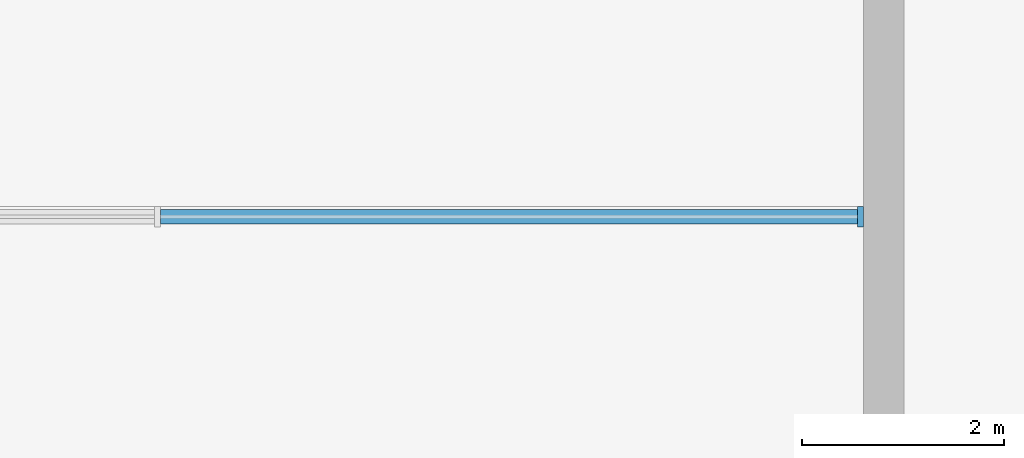
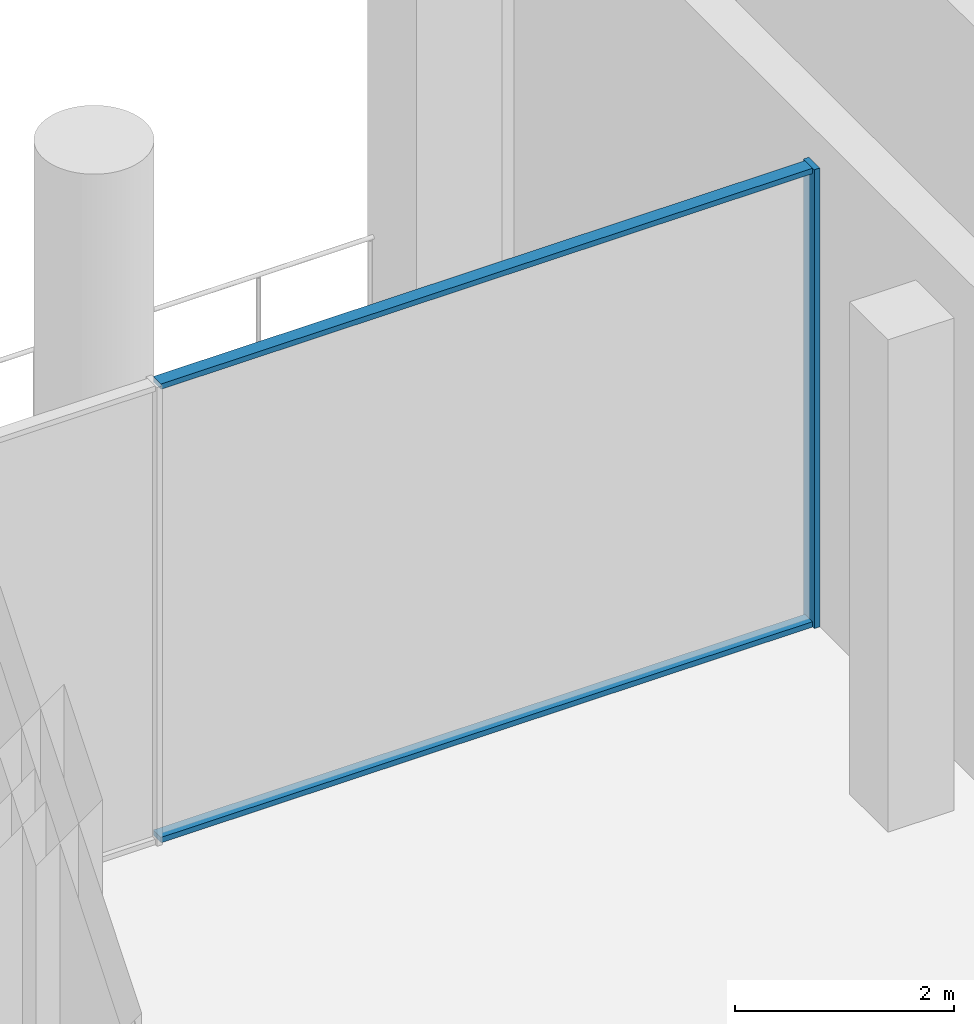
# One storey, part 5 of 19: 3 members, 1 element without a shape of its own.
"""IFC4 building model written with IfcOpenShell, lengths in metres."""

from ifc_helpers import new_model, si_unit, direction, frame, origin, origin_2d, place, context, subcontext, project, spatial, rectangle, extrude, material, material_profile, profile_set, type_object, element, aggregate, save


model = new_model("IFC4")

# Units and contexts
model_context = context("Model", 3, precision=1e-05, world=origin(), true_north=direction((0.0, 1.0)))
body_context = subcontext(model_context, "Body", "Model", "MODEL_VIEW")
ifc_project = project(units=[si_unit("LENGTHUNIT", "METRE"), si_unit("AREAUNIT", "SQUARE_METRE"), si_unit("VOLUMEUNIT", "CUBIC_METRE"), si_unit("PLANEANGLEUNIT", "RADIAN"), si_unit("MASSUNIT", "GRAM", prefix="KILO")], contexts=[model_context])

# Site, building, storey
site_placement = place(None, origin())
site = spatial("IfcSite", under=ifc_project, at=site_placement, CompositionType="ELEMENT")
building_placement = place(site_placement, origin())
building = spatial("IfcBuilding", under=site, at=building_placement, Name="Skarvind Civic Tower", CompositionType="ELEMENT")
storey_placement = place(building_placement, frame((0.0, 0.0, 75.5)))
storey = spatial("IfcBuildingStorey", under=building, at=storey_placement, Name="L17", CompositionType="ELEMENT", Elevation=75.5)

# Curtain wall, members
ifc_material_1 = material(Name="Aluminium alloy 6063 and laminated glass", Category="aluminium")
curtain_wall_type = type_object("IfcCurtainWallType", Name="CW3 SEPARATOR INNER GLAZING", PredefinedType="NOTDEFINED", material=ifc_material_1)
curtain_wall_placement = place(storey_placement, origin())
curtain_wall = element("IfcCurtainWall", 1, at=curtain_wall_placement, inside=storey, type_object=curtain_wall_type, Name="SEPARATOR INNER GLAZING", PredefinedType="NOTDEFINED")
ifc_material_2 = material(Name="Aluminium alloy 6063", Category="aluminium")
ifc_material_profile_1 = material_profile(ifc_material_2, rectangle(XDim=0.199951171875, YDim=0.06005859375, at=origin_2d()), Name="AL 60x200")
ifc_profile_set_1 = profile_set([ifc_material_profile_1], Name="Aluminium alloy 6063")
member_type_1 = type_object("IfcMemberType", Name="CW3 MULLION 60x200", PredefinedType="MULLION", material=ifc_profile_set_1)
member_1_placement = place(storey_placement, frame((90.969970703125, 132.89990234375, 0.0), z_axis=(0.0, 0.0, 1.0), x_axis=(0.0, 1.0, 0.0)))
member_1 = element("IfcMember", 2, at=member_1_placement, type_object=member_type_1, Name="CW3 mullion 3", PredefinedType="MULLION", context=body_context, shape_type="SweptSolid", body=[
    extrude(rectangle(XDim=0.199951171875, YDim=0.06005859375, at=origin_2d()), origin(), (0.0, 0.0, 1.0), 5.125),
])
ifc_material_profile_2 = material_profile(ifc_material_2, rectangle(XDim=0.139892578125, YDim=0.06005859375, at=origin_2d()), Name="AL 60x140")
ifc_profile_set_2 = profile_set([ifc_material_profile_2], Name="Aluminium alloy 6063")
member_type_2 = type_object("IfcMemberType", Name="CW3 TRANSOM 60x140", PredefinedType="USERDEFINED", material=ifc_profile_set_2)
member_2_placement = place(storey_placement, frame((84.054931640625, 132.89990234375, 0.030029296875), z_axis=(1.0, 0.0, 0.0), x_axis=(0.0, 1.0, 0.0)))
member_2 = element("IfcMember", 3, at=member_2_placement, type_object=member_type_2, Name="CW3 transom 2.1", ObjectType="TRANSOM", PredefinedType="USERDEFINED", context=body_context, shape_type="SweptSolid", body=[
    extrude(rectangle(XDim=0.139892578125, YDim=0.06005859375, at=origin_2d()), origin(), (0.0, 0.0, 1.0), 6.885009765625),
])
member_3_placement = place(storey_placement, frame((84.054931640625, 132.89990234375, 5.094970703125), z_axis=(1.0, 0.0, 0.0), x_axis=(0.0, 1.0, 0.0)))
member_3 = element("IfcMember", 4, at=member_3_placement, type_object=member_type_2, Name="CW3 transom 2.2", ObjectType="TRANSOM", PredefinedType="USERDEFINED", context=body_context, shape_type="SweptSolid", body=[
    extrude(rectangle(XDim=0.139892578125, YDim=0.06005859375, at=origin_2d()), origin(), (0.0, 0.0, 1.0), 6.885009765625),
])
aggregate(curtain_wall, [member_1, member_2, member_3])

save(model, "model.ifc")
